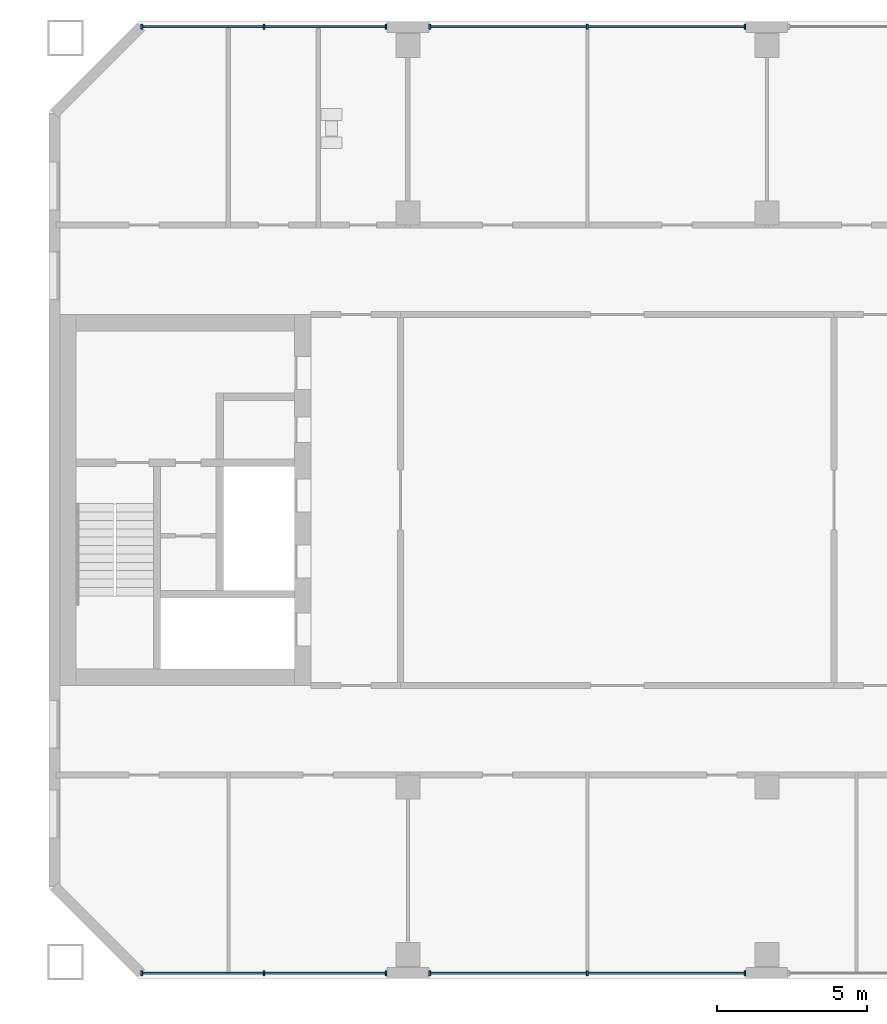
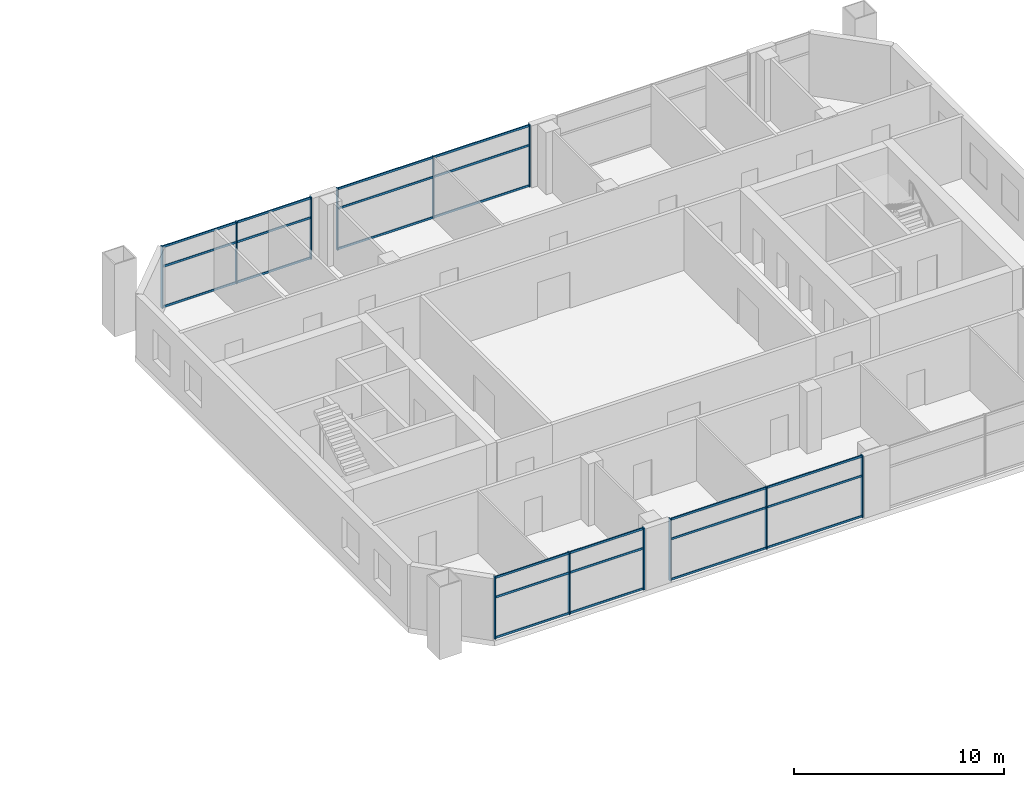
# One storey, part 5 of 17: 36 members, 4 elements without a shape of their own.
"""IFC4 building model written with IfcOpenShell, lengths in metres."""

from ifc_helpers import new_model, si_unit, direction, frame, origin, origin_2d, place, context, subcontext, project, spatial, rectangle, extrude, material, material_profile, profile_set, type_object, element, aggregate, save


model = new_model("IFC4")

# Units and contexts
model_context = context("Model", 3, precision=1e-05, world=origin(), true_north=direction((0.0, 1.0)))
body_context = subcontext(model_context, "Body", "Model", "MODEL_VIEW")
ifc_project = project(units=[si_unit("LENGTHUNIT", "METRE"), si_unit("AREAUNIT", "SQUARE_METRE"), si_unit("VOLUMEUNIT", "CUBIC_METRE"), si_unit("PLANEANGLEUNIT", "RADIAN"), si_unit("MASSUNIT", "GRAM", prefix="KILO")], contexts=[model_context])

# Site, building, storey
site_placement = place(None, origin())
site = spatial("IfcSite", under=ifc_project, at=site_placement, CompositionType="ELEMENT")
building_placement = place(site_placement, origin())
building = spatial("IfcBuilding", under=site, at=building_placement, Name="Tuart Gate Housing", CompositionType="ELEMENT")
storey_placement = place(building_placement, frame((0.0, 0.0, 119.5)))
storey = spatial("IfcBuildingStorey", under=building, at=storey_placement, Name="L33", CompositionType="ELEMENT", Elevation=119.5)

# Curtain wall, members
ifc_material_1 = material(Name="Aluminium and clear glass", Category="aluminium")
curtain_wall_type = type_object("IfcCurtainWallType", Name="Community floor glazing", PredefinedType="USERDEFINED", material=ifc_material_1)
curtain_wall_1_placement = place(storey_placement, origin())
curtain_wall_1 = element("IfcCurtainWall", 1, at=curtain_wall_1_placement, inside=storey, type_object=curtain_wall_type, Name="Community floor glazing B-S L33", ObjectType="COMMUNITY FLOOR GLAZING", PredefinedType="USERDEFINED")
ifc_material_2 = material(Name="Anodised aluminium", Category="aluminium")
ifc_material_profile_1 = material_profile(ifc_material_2, rectangle(XDim=0.06005859375, YDim=0.159912109375, at=origin_2d()), Name="60x160")
ifc_profile_set_1 = profile_set([ifc_material_profile_1], Name="Anodised aluminium")
member_type_1 = type_object("IfcMemberType", Name="Mullion 60 x 160", PredefinedType="MULLION", material=ifc_profile_set_1)
member_1_placement = place(storey_placement, frame((134.1044921875, 54.179931640625, 0.0), z_axis=(0.0, 0.0, 1.0), x_axis=(1.0, 0.0, 0.0)))
member_1 = element("IfcMember", 2, at=member_1_placement, type_object=member_type_1, Name="CW3 mullion 1", PredefinedType="MULLION", context=body_context, shape_type="SweptSolid", body=[
    extrude(rectangle(XDim=0.06005859375, YDim=0.159912109375, at=origin_2d()), origin(), (0.0, 0.0, 1.0), 3.60009765625),
])
member_2_placement = place(storey_placement, frame((138.187255859375, 54.179931640625, 0.0), z_axis=(0.0, 0.0, 1.0), x_axis=(1.0, 0.0, 0.0)))
member_2 = element("IfcMember", 3, at=member_2_placement, type_object=member_type_1, Name="CW3 mullion 2", PredefinedType="MULLION", context=body_context, shape_type="SweptSolid", body=[
    extrude(rectangle(XDim=0.06005859375, YDim=0.159912109375, at=origin_2d()), origin(), (0.0, 0.0, 1.0), 3.60009765625),
])
member_3_placement = place(storey_placement, frame((142.27001953125, 54.179931640625, 0.0), z_axis=(0.0, 0.0, 1.0), x_axis=(1.0, 0.0, 0.0)))
member_3 = element("IfcMember", 4, at=member_3_placement, type_object=member_type_1, Name="CW3 mullion 3", PredefinedType="MULLION", context=body_context, shape_type="SweptSolid", body=[
    extrude(rectangle(XDim=0.06005859375, YDim=0.159912109375, at=origin_2d()), origin(), (0.0, 0.0, 1.0), 3.60009765625),
])

curtain_wall_2_placement = place(storey_placement, origin())
curtain_wall_2 = element("IfcCurtainWall", 5, at=curtain_wall_2_placement, inside=storey, type_object=curtain_wall_type, Name="Community floor glazing B-S L33", ObjectType="COMMUNITY FLOOR GLAZING", PredefinedType="USERDEFINED")
member_4_placement = place(storey_placement, frame((143.72998046875, 54.179931640625, 0.0), z_axis=(0.0, 0.0, 1.0), x_axis=(1.0, 0.0, 0.0)))
member_4 = element("IfcMember", 6, at=member_4_placement, type_object=member_type_1, Name="CW3 mullion 1", PredefinedType="MULLION", context=body_context, shape_type="SweptSolid", body=[
    extrude(rectangle(XDim=0.06005859375, YDim=0.159912109375, at=origin_2d()), origin(), (0.0, 0.0, 1.0), 3.60009765625),
])
member_5_placement = place(storey_placement, frame((149.0, 54.179931640625, 0.0), z_axis=(0.0, 0.0, 1.0), x_axis=(1.0, 0.0, 0.0)))
member_5 = element("IfcMember", 7, at=member_5_placement, type_object=member_type_1, Name="CW3 mullion 2", PredefinedType="MULLION", context=body_context, shape_type="SweptSolid", body=[
    extrude(rectangle(XDim=0.06005859375, YDim=0.159912109375, at=origin_2d()), origin(), (0.0, 0.0, 1.0), 3.60009765625),
])
member_6_placement = place(storey_placement, frame((154.27001953125, 54.179931640625, 0.0), z_axis=(0.0, 0.0, 1.0), x_axis=(1.0, 0.0, 0.0)))
member_6 = element("IfcMember", 8, at=member_6_placement, type_object=member_type_1, Name="CW3 mullion 3", PredefinedType="MULLION", context=body_context, shape_type="SweptSolid", body=[
    extrude(rectangle(XDim=0.06005859375, YDim=0.159912109375, at=origin_2d()), origin(), (0.0, 0.0, 1.0), 3.60009765625),
])

curtain_wall_3_placement = place(storey_placement, origin())
curtain_wall_3 = element("IfcCurtainWall", 9, at=curtain_wall_3_placement, inside=storey, type_object=curtain_wall_type, Name="Community floor glazing B-N L33", ObjectType="COMMUNITY FLOOR GLAZING", PredefinedType="USERDEFINED")
member_7_placement = place(storey_placement, frame((154.27001953125, 85.820068359375, 0.0), z_axis=(0.0, 0.0, 1.0), x_axis=(-1.0, 0.0, 0.0)))
member_7 = element("IfcMember", 10, at=member_7_placement, type_object=member_type_1, Name="CW3 mullion 1", PredefinedType="MULLION", context=body_context, shape_type="SweptSolid", body=[
    extrude(rectangle(XDim=0.06005859375, YDim=0.159912109375, at=origin_2d()), origin(), (0.0, 0.0, 1.0), 3.60009765625),
])
member_8_placement = place(storey_placement, frame((149.0, 85.820068359375, 0.0), z_axis=(0.0, 0.0, 1.0), x_axis=(-1.0, 0.0, 0.0)))
member_8 = element("IfcMember", 11, at=member_8_placement, type_object=member_type_1, Name="CW3 mullion 2", PredefinedType="MULLION", context=body_context, shape_type="SweptSolid", body=[
    extrude(rectangle(XDim=0.06005859375, YDim=0.159912109375, at=origin_2d()), origin(), (0.0, 0.0, 1.0), 3.60009765625),
])
member_9_placement = place(storey_placement, frame((143.72998046875, 85.820068359375, 0.0), z_axis=(0.0, 0.0, 1.0), x_axis=(-1.0, 0.0, 0.0)))
member_9 = element("IfcMember", 12, at=member_9_placement, type_object=member_type_1, Name="CW3 mullion 3", PredefinedType="MULLION", context=body_context, shape_type="SweptSolid", body=[
    extrude(rectangle(XDim=0.06005859375, YDim=0.159912109375, at=origin_2d()), origin(), (0.0, 0.0, 1.0), 3.60009765625),
])

curtain_wall_4_placement = place(storey_placement, origin())
curtain_wall_4 = element("IfcCurtainWall", 13, at=curtain_wall_4_placement, inside=storey, type_object=curtain_wall_type, Name="Community floor glazing B-N L33", ObjectType="COMMUNITY FLOOR GLAZING", PredefinedType="USERDEFINED")
member_10_placement = place(storey_placement, frame((142.27001953125, 85.820068359375, 0.0), z_axis=(0.0, 0.0, 1.0), x_axis=(-1.0, 0.0, 0.0)))
member_10 = element("IfcMember", 14, at=member_10_placement, type_object=member_type_1, Name="CW3 mullion 1", PredefinedType="MULLION", context=body_context, shape_type="SweptSolid", body=[
    extrude(rectangle(XDim=0.06005859375, YDim=0.159912109375, at=origin_2d()), origin(), (0.0, 0.0, 1.0), 3.60009765625),
])
member_11_placement = place(storey_placement, frame((138.187255859375, 85.820068359375, 0.0), z_axis=(0.0, 0.0, 1.0), x_axis=(-1.0, 0.0, 0.0)))
member_11 = element("IfcMember", 15, at=member_11_placement, type_object=member_type_1, Name="CW3 mullion 2", PredefinedType="MULLION", context=body_context, shape_type="SweptSolid", body=[
    extrude(rectangle(XDim=0.06005859375, YDim=0.159912109375, at=origin_2d()), origin(), (0.0, 0.0, 1.0), 3.60009765625),
])
member_12_placement = place(storey_placement, frame((134.1044921875, 85.820068359375, 0.0), z_axis=(0.0, 0.0, 1.0), x_axis=(-1.0, 0.0, 0.0)))
member_12 = element("IfcMember", 16, at=member_12_placement, type_object=member_type_1, Name="CW3 mullion 3", PredefinedType="MULLION", context=body_context, shape_type="SweptSolid", body=[
    extrude(rectangle(XDim=0.06005859375, YDim=0.159912109375, at=origin_2d()), origin(), (0.0, 0.0, 1.0), 3.60009765625),
])

# Member
ifc_material_3 = material(Name="Anodised aluminium", Category="aluminium")
ifc_material_profile_2 = material_profile(ifc_material_3, rectangle(XDim=0.06005859375, YDim=0.1201171875, at=origin_2d()), Name="60x120")
ifc_profile_set_2 = profile_set([ifc_material_profile_2], Name="Anodised aluminium")
member_type_2 = type_object("IfcMemberType", Name="Transom 60 x 120", PredefinedType="USERDEFINED", material=ifc_profile_set_2)
member_13_placement = place(storey_placement, frame((134.134521484375, 54.179931640625, 0.06005859375), z_axis=(1.0, 0.0, 0.0), x_axis=(0.0, 1.0, 0.0)))
member_13 = element("IfcMember", 17, at=member_13_placement, type_object=member_type_2, Name="CW3 transom 1.1", ObjectType="TRANSOM", PredefinedType="USERDEFINED", context=body_context, shape_type="SweptSolid", body=[
    extrude(rectangle(XDim=0.06005859375, YDim=0.1201171875, at=origin_2d()), origin(), (0.0, 0.0, 1.0), 4.022705078125),
])

member_14_placement = place(storey_placement, frame((134.134521484375, 54.179931640625, 2.39990234375), z_axis=(1.0, 0.0, 0.0), x_axis=(0.0, 1.0, 0.0)))
member_14 = element("IfcMember", 18, at=member_14_placement, type_object=member_type_2, Name="CW3 transom 1.2", ObjectType="TRANSOM", PredefinedType="USERDEFINED", context=body_context, shape_type="SweptSolid", body=[
    extrude(rectangle(XDim=0.06005859375, YDim=0.1201171875, at=origin_2d()), origin(), (0.0, 0.0, 1.0), 4.022705078125),
])

member_15_placement = place(storey_placement, frame((134.134521484375, 54.179931640625, 3.5400390625), z_axis=(1.0, 0.0, 0.0), x_axis=(0.0, 1.0, 0.0)))
member_15 = element("IfcMember", 19, at=member_15_placement, type_object=member_type_2, Name="CW3 transom 1.3", ObjectType="TRANSOM", PredefinedType="USERDEFINED", context=body_context, shape_type="SweptSolid", body=[
    extrude(rectangle(XDim=0.06005859375, YDim=0.1201171875, at=origin_2d()), origin(), (0.0, 0.0, 1.0), 4.022705078125),
])

member_16_placement = place(storey_placement, frame((138.21728515625, 54.179931640625, 0.06005859375), z_axis=(1.0, 0.0, 0.0), x_axis=(0.0, 1.0, 0.0)))
member_16 = element("IfcMember", 20, at=member_16_placement, type_object=member_type_2, Name="CW3 transom 2.1", ObjectType="TRANSOM", PredefinedType="USERDEFINED", context=body_context, shape_type="SweptSolid", body=[
    extrude(rectangle(XDim=0.06005859375, YDim=0.1201171875, at=origin_2d()), origin(), (0.0, 0.0, 1.0), 4.022705078125),
])

member_17_placement = place(storey_placement, frame((138.21728515625, 54.179931640625, 2.39990234375), z_axis=(1.0, 0.0, 0.0), x_axis=(0.0, 1.0, 0.0)))
member_17 = element("IfcMember", 21, at=member_17_placement, type_object=member_type_2, Name="CW3 transom 2.2", ObjectType="TRANSOM", PredefinedType="USERDEFINED", context=body_context, shape_type="SweptSolid", body=[
    extrude(rectangle(XDim=0.06005859375, YDim=0.1201171875, at=origin_2d()), origin(), (0.0, 0.0, 1.0), 4.022705078125),
])

member_18_placement = place(storey_placement, frame((138.21728515625, 54.179931640625, 3.5400390625), z_axis=(1.0, 0.0, 0.0), x_axis=(0.0, 1.0, 0.0)))
member_18 = element("IfcMember", 22, at=member_18_placement, type_object=member_type_2, Name="CW3 transom 2.3", ObjectType="TRANSOM", PredefinedType="USERDEFINED", context=body_context, shape_type="SweptSolid", body=[
    extrude(rectangle(XDim=0.06005859375, YDim=0.1201171875, at=origin_2d()), origin(), (0.0, 0.0, 1.0), 4.022705078125),
])

aggregate(curtain_wall_1, [member_1, member_2, member_3, member_13, member_14, member_15, member_16, member_17, member_18])

member_19_placement = place(storey_placement, frame((143.760009765625, 54.179931640625, 0.06005859375), z_axis=(1.0, 0.0, 0.0), x_axis=(0.0, 1.0, 0.0)))
member_19 = element("IfcMember", 23, at=member_19_placement, type_object=member_type_2, Name="CW3 transom 1.1", ObjectType="TRANSOM", PredefinedType="USERDEFINED", context=body_context, shape_type="SweptSolid", body=[
    extrude(rectangle(XDim=0.06005859375, YDim=0.1201171875, at=origin_2d()), origin(), (0.0, 0.0, 1.0), 5.2099609375),
])

member_20_placement = place(storey_placement, frame((143.760009765625, 54.179931640625, 2.39990234375), z_axis=(1.0, 0.0, 0.0), x_axis=(0.0, 1.0, 0.0)))
member_20 = element("IfcMember", 24, at=member_20_placement, type_object=member_type_2, Name="CW3 transom 1.2", ObjectType="TRANSOM", PredefinedType="USERDEFINED", context=body_context, shape_type="SweptSolid", body=[
    extrude(rectangle(XDim=0.06005859375, YDim=0.1201171875, at=origin_2d()), origin(), (0.0, 0.0, 1.0), 5.2099609375),
])

member_21_placement = place(storey_placement, frame((143.760009765625, 54.179931640625, 3.5400390625), z_axis=(1.0, 0.0, 0.0), x_axis=(0.0, 1.0, 0.0)))
member_21 = element("IfcMember", 25, at=member_21_placement, type_object=member_type_2, Name="CW3 transom 1.3", ObjectType="TRANSOM", PredefinedType="USERDEFINED", context=body_context, shape_type="SweptSolid", body=[
    extrude(rectangle(XDim=0.06005859375, YDim=0.1201171875, at=origin_2d()), origin(), (0.0, 0.0, 1.0), 5.2099609375),
])

member_22_placement = place(storey_placement, frame((149.030029296875, 54.179931640625, 0.06005859375), z_axis=(1.0, 0.0, 0.0), x_axis=(0.0, 1.0, 0.0)))
member_22 = element("IfcMember", 26, at=member_22_placement, type_object=member_type_2, Name="CW3 transom 2.1", ObjectType="TRANSOM", PredefinedType="USERDEFINED", context=body_context, shape_type="SweptSolid", body=[
    extrude(rectangle(XDim=0.06005859375, YDim=0.1201171875, at=origin_2d()), origin(), (0.0, 0.0, 1.0), 5.2099609375),
])

member_23_placement = place(storey_placement, frame((149.030029296875, 54.179931640625, 2.39990234375), z_axis=(1.0, 0.0, 0.0), x_axis=(0.0, 1.0, 0.0)))
member_23 = element("IfcMember", 27, at=member_23_placement, type_object=member_type_2, Name="CW3 transom 2.2", ObjectType="TRANSOM", PredefinedType="USERDEFINED", context=body_context, shape_type="SweptSolid", body=[
    extrude(rectangle(XDim=0.06005859375, YDim=0.1201171875, at=origin_2d()), origin(), (0.0, 0.0, 1.0), 5.2099609375),
])

member_24_placement = place(storey_placement, frame((149.030029296875, 54.179931640625, 3.5400390625), z_axis=(1.0, 0.0, 0.0), x_axis=(0.0, 1.0, 0.0)))
member_24 = element("IfcMember", 28, at=member_24_placement, type_object=member_type_2, Name="CW3 transom 2.3", ObjectType="TRANSOM", PredefinedType="USERDEFINED", context=body_context, shape_type="SweptSolid", body=[
    extrude(rectangle(XDim=0.06005859375, YDim=0.1201171875, at=origin_2d()), origin(), (0.0, 0.0, 1.0), 5.2099609375),
])

aggregate(curtain_wall_2, [member_4, member_5, member_6, member_19, member_20, member_21, member_22, member_23, member_24])

member_25_placement = place(storey_placement, frame((154.239990234375, 85.820068359375, 0.06005859375), z_axis=(-1.0, 0.0, 0.0), x_axis=(0.0, -1.0, 0.0)))
member_25 = element("IfcMember", 29, at=member_25_placement, type_object=member_type_2, Name="CW3 transom 1.1", ObjectType="TRANSOM", PredefinedType="USERDEFINED", context=body_context, shape_type="SweptSolid", body=[
    extrude(rectangle(XDim=0.06005859375, YDim=0.1201171875, at=origin_2d()), origin(), (0.0, 0.0, 1.0), 5.2099609375),
])

member_26_placement = place(storey_placement, frame((154.239990234375, 85.820068359375, 2.39990234375), z_axis=(-1.0, 0.0, 0.0), x_axis=(0.0, -1.0, 0.0)))
member_26 = element("IfcMember", 30, at=member_26_placement, type_object=member_type_2, Name="CW3 transom 1.2", ObjectType="TRANSOM", PredefinedType="USERDEFINED", context=body_context, shape_type="SweptSolid", body=[
    extrude(rectangle(XDim=0.06005859375, YDim=0.1201171875, at=origin_2d()), origin(), (0.0, 0.0, 1.0), 5.2099609375),
])

member_27_placement = place(storey_placement, frame((154.239990234375, 85.820068359375, 3.5400390625), z_axis=(-1.0, 0.0, 0.0), x_axis=(0.0, -1.0, 0.0)))
member_27 = element("IfcMember", 31, at=member_27_placement, type_object=member_type_2, Name="CW3 transom 1.3", ObjectType="TRANSOM", PredefinedType="USERDEFINED", context=body_context, shape_type="SweptSolid", body=[
    extrude(rectangle(XDim=0.06005859375, YDim=0.1201171875, at=origin_2d()), origin(), (0.0, 0.0, 1.0), 5.2099609375),
])

member_28_placement = place(storey_placement, frame((148.969970703125, 85.820068359375, 0.06005859375), z_axis=(-1.0, 0.0, 0.0), x_axis=(0.0, -1.0, 0.0)))
member_28 = element("IfcMember", 32, at=member_28_placement, type_object=member_type_2, Name="CW3 transom 2.1", ObjectType="TRANSOM", PredefinedType="USERDEFINED", context=body_context, shape_type="SweptSolid", body=[
    extrude(rectangle(XDim=0.06005859375, YDim=0.1201171875, at=origin_2d()), origin(), (0.0, 0.0, 1.0), 5.2099609375),
])

member_29_placement = place(storey_placement, frame((148.969970703125, 85.820068359375, 2.39990234375), z_axis=(-1.0, 0.0, 0.0), x_axis=(0.0, -1.0, 0.0)))
member_29 = element("IfcMember", 33, at=member_29_placement, type_object=member_type_2, Name="CW3 transom 2.2", ObjectType="TRANSOM", PredefinedType="USERDEFINED", context=body_context, shape_type="SweptSolid", body=[
    extrude(rectangle(XDim=0.06005859375, YDim=0.1201171875, at=origin_2d()), origin(), (0.0, 0.0, 1.0), 5.2099609375),
])

member_30_placement = place(storey_placement, frame((148.969970703125, 85.820068359375, 3.5400390625), z_axis=(-1.0, 0.0, 0.0), x_axis=(0.0, -1.0, 0.0)))
member_30 = element("IfcMember", 34, at=member_30_placement, type_object=member_type_2, Name="CW3 transom 2.3", ObjectType="TRANSOM", PredefinedType="USERDEFINED", context=body_context, shape_type="SweptSolid", body=[
    extrude(rectangle(XDim=0.06005859375, YDim=0.1201171875, at=origin_2d()), origin(), (0.0, 0.0, 1.0), 5.2099609375),
])

aggregate(curtain_wall_3, [member_7, member_8, member_9, member_25, member_26, member_27, member_28, member_29, member_30])

member_31_placement = place(storey_placement, frame((142.239990234375, 85.820068359375, 0.06005859375), z_axis=(-1.0, 0.0, 0.0), x_axis=(0.0, -1.0, 0.0)))
member_31 = element("IfcMember", 35, at=member_31_placement, type_object=member_type_2, Name="CW3 transom 1.1", ObjectType="TRANSOM", PredefinedType="USERDEFINED", context=body_context, shape_type="SweptSolid", body=[
    extrude(rectangle(XDim=0.06005859375, YDim=0.1201171875, at=origin_2d()), origin(), (0.0, 0.0, 1.0), 4.022705078125),
])

member_32_placement = place(storey_placement, frame((142.239990234375, 85.820068359375, 2.39990234375), z_axis=(-1.0, 0.0, 0.0), x_axis=(0.0, -1.0, 0.0)))
member_32 = element("IfcMember", 36, at=member_32_placement, type_object=member_type_2, Name="CW3 transom 1.2", ObjectType="TRANSOM", PredefinedType="USERDEFINED", context=body_context, shape_type="SweptSolid", body=[
    extrude(rectangle(XDim=0.06005859375, YDim=0.1201171875, at=origin_2d()), origin(), (0.0, 0.0, 1.0), 4.022705078125),
])

member_33_placement = place(storey_placement, frame((142.239990234375, 85.820068359375, 3.5400390625), z_axis=(-1.0, 0.0, 0.0), x_axis=(0.0, -1.0, 0.0)))
member_33 = element("IfcMember", 37, at=member_33_placement, type_object=member_type_2, Name="CW3 transom 1.3", ObjectType="TRANSOM", PredefinedType="USERDEFINED", context=body_context, shape_type="SweptSolid", body=[
    extrude(rectangle(XDim=0.06005859375, YDim=0.1201171875, at=origin_2d()), origin(), (0.0, 0.0, 1.0), 4.022705078125),
])

member_34_placement = place(storey_placement, frame((138.1572265625, 85.820068359375, 0.06005859375), z_axis=(-1.0, 0.0, 0.0), x_axis=(0.0, -1.0, 0.0)))
member_34 = element("IfcMember", 38, at=member_34_placement, type_object=member_type_2, Name="CW3 transom 2.1", ObjectType="TRANSOM", PredefinedType="USERDEFINED", context=body_context, shape_type="SweptSolid", body=[
    extrude(rectangle(XDim=0.06005859375, YDim=0.1201171875, at=origin_2d()), origin(), (0.0, 0.0, 1.0), 4.022705078125),
])

member_35_placement = place(storey_placement, frame((138.1572265625, 85.820068359375, 2.39990234375), z_axis=(-1.0, 0.0, 0.0), x_axis=(0.0, -1.0, 0.0)))
member_35 = element("IfcMember", 39, at=member_35_placement, type_object=member_type_2, Name="CW3 transom 2.2", ObjectType="TRANSOM", PredefinedType="USERDEFINED", context=body_context, shape_type="SweptSolid", body=[
    extrude(rectangle(XDim=0.06005859375, YDim=0.1201171875, at=origin_2d()), origin(), (0.0, 0.0, 1.0), 4.022705078125),
])

member_36_placement = place(storey_placement, frame((138.1572265625, 85.820068359375, 3.5400390625), z_axis=(-1.0, 0.0, 0.0), x_axis=(0.0, -1.0, 0.0)))
member_36 = element("IfcMember", 40, at=member_36_placement, type_object=member_type_2, Name="CW3 transom 2.3", ObjectType="TRANSOM", PredefinedType="USERDEFINED", context=body_context, shape_type="SweptSolid", body=[
    extrude(rectangle(XDim=0.06005859375, YDim=0.1201171875, at=origin_2d()), origin(), (0.0, 0.0, 1.0), 4.022705078125),
])

aggregate(curtain_wall_4, [member_10, member_11, member_12, member_31, member_32, member_33, member_34, member_35, member_36])

save(model, "model.ifc")
